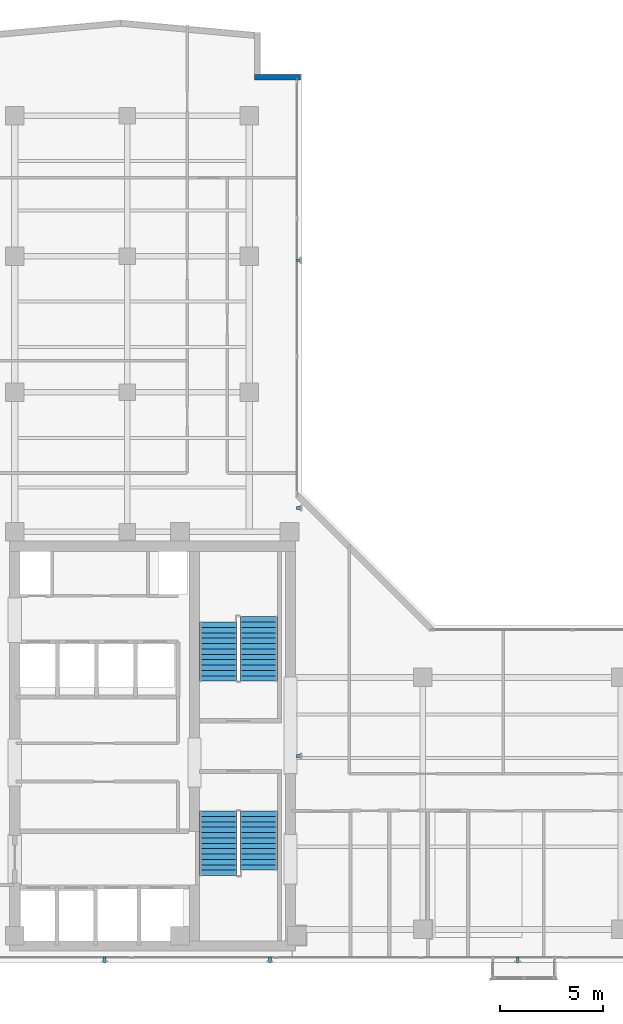
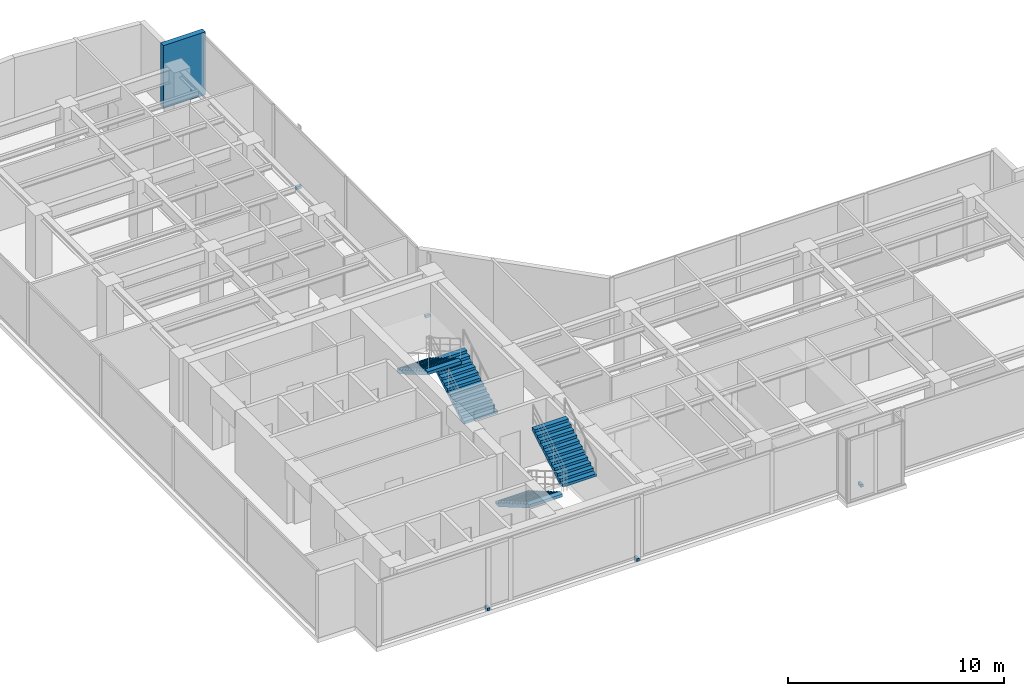
# One storey, part 19 of 22: 6 discrete accessories, 4 stair flights, 1 wall, 2 elements without a shape of their own.
"""IFC4 building model written with IfcOpenShell, lengths in metres."""

import ifcopenshell
import ifcopenshell.guid

model = None  # the IFC model being written
_history = None  # IfcOwnerHistory: only IFC2X3 demands one
_inside = {}  # id of a spatial element -> (the spatial element, [elements in it])
_under = {}  # id of a project, library or spatial element -> (it, [spatial elements below it])
_declared = {}  # id of a project -> (the project, [libraries it declares])
_typed = {}  # id of a type object -> (the type object, [elements of that type])
_made_of = {}  # id of a material, layer set ... -> (it, [elements and type objects made of it])


def new_model(schema):
    """Start an empty IFC model of exactly this schema.

    Asked for "IFC4X3", IfcOpenShell would pick the latest addendum, in which some entities
    have other attributes; the version numbers below select the first issue.
    IFC2X3 requires an IfcOwnerHistory on every rooted entity: one is made here for all.
    """
    global model, _history
    if schema == "IFC4X3":
        model = ifcopenshell.file(schema_version=(4, 3, 0, 0))
    else:
        model = ifcopenshell.file(schema=schema)
    _inside.clear()
    _under.clear()
    _declared.clear()
    _typed.clear()
    _made_of.clear()
    _history = None
    if model.schema == "IFC2X3":
        org = make("IfcOrganization", Name="unknown")
        user = make(
            "IfcPersonAndOrganization",
            ThePerson=make("IfcPerson", FamilyName="unknown"),
            TheOrganization=org,
        )
        app = make(
            "IfcApplication",
            ApplicationDeveloper=org,
            Version="unknown",
            ApplicationFullName="unknown",
            ApplicationIdentifier="unknown",
        )
        _history = make(
            "IfcOwnerHistory",
            OwningUser=user,
            OwningApplication=app,
            ChangeAction="ADDED",
            CreationDate=0,
        )
    return model


def make(cls, **values):
    """One entity of the class cls with the attributes given. An attribute that is None is left unset."""
    return model.create_entity(
        cls, **{name: value for name, value in values.items() if value is not None}
    )


def rooted(cls, **values):
    """An entity with a GlobalId (a new one), such as an element, a storey or a relation."""
    return make(cls, GlobalId=ifcopenshell.guid.new(), OwnerHistory=_history, **values)


def si_unit(unit_type, name, prefix=None):
    """IfcSIUnit, for example si_unit("LENGTHUNIT", "METRE", prefix="MILLI")."""
    return make("IfcSIUnit", UnitType=unit_type, Prefix=prefix, Name=name)


def assignment(units):
    """IfcUnitAssignment: the units of a project."""
    return None if units is None else make("IfcUnitAssignment", Units=units)


def point(xyz):
    """IfcCartesianPoint."""
    return None if xyz is None else make("IfcCartesianPoint", Coordinates=xyz)


def direction(xyz):
    """IfcDirection."""
    return None if xyz is None else make("IfcDirection", DirectionRatios=xyz)


def frame(location, z_axis=None, x_axis=None):
    """IfcAxis2Placement3D, a coordinate frame: its origin and axes. An axis left out is left unset."""
    return make(
        "IfcAxis2Placement3D",
        Location=point(location),
        Axis=direction(z_axis),
        RefDirection=direction(x_axis),
    )


def frame_2d(location, x_axis=None):
    """IfcAxis2Placement2D, a coordinate frame in the plane: its origin and x axis."""
    return make(
        "IfcAxis2Placement2D", Location=point(location), RefDirection=direction(x_axis)
    )


def origin():
    """The frame at (0, 0, 0) with its axes left unset."""
    return frame((0.0, 0.0, 0.0))


def origin_with_axes():
    """The frame at (0, 0, 0) with the z axis (0, 0, 1) and the x axis (1, 0, 0) written out."""
    return frame((0.0, 0.0, 0.0), z_axis=(0.0, 0.0, 1.0), x_axis=(1.0, 0.0, 0.0))


def origin_2d():
    """The frame at (0, 0) in the plane with its x axis left unset."""
    return frame_2d((0.0, 0.0))


def place(relative_to, where):
    """IfcLocalPlacement: puts the frame where relative to a parent placement (None: the world)."""
    return make(
        "IfcLocalPlacement", PlacementRelTo=relative_to, RelativePlacement=where
    )


def context(
    kind, dimensions, precision=None, world=None, true_north=None, identifier=None
):
    """IfcGeometricRepresentationContext, for example the 3D "Model" context."""
    return make(
        "IfcGeometricRepresentationContext",
        ContextIdentifier=identifier,
        ContextType=kind,
        CoordinateSpaceDimension=dimensions,
        Precision=precision,
        WorldCoordinateSystem=world,
        TrueNorth=true_north,
    )


def subcontext(parent, identifier, kind, view, scale=None):
    """IfcGeometricRepresentationSubContext, for example "Body" below "Model"."""
    return make(
        "IfcGeometricRepresentationSubContext",
        ContextIdentifier=identifier,
        ContextType=kind,
        ParentContext=parent,
        TargetScale=scale,
        TargetView=view,
    )


def project(units=None, contexts=None):
    """IfcProject with its units and contexts."""
    return rooted(
        "IfcProject",
        Name="project",
        RepresentationContexts=contexts,
        UnitsInContext=assignment(units),
    )


def spatial(cls, under=None, at=None, **own):
    """A site, building, storey or space (cls), placed at a placement, below another one or the project."""
    s = rooted(cls, ObjectPlacement=at, **own)
    if under is not None:
        _under.setdefault(under.id(), (under, []))[1].append(s)
    return s


def polyline(points):
    """IfcPolyline through the points."""
    return make("IfcPolyline", Points=[point(p) for p in points])


def profile(cls, at=None, kind="AREA", **sizes):
    """A parametric profile (cls). Its sizes go by their IFC names, for example OverallWidth=200.0."""
    return make(cls, ProfileType=kind, Position=at, **sizes)


def rectangle(**sizes):
    """IfcRectangleProfileDef."""
    return profile("IfcRectangleProfileDef", **sizes)


def outline(outer, holes=None, kind="AREA"):
    """IfcArbitraryClosedProfileDef: a profile drawn as a closed curve; with holes, ...WithVoids."""
    if holes is None:
        return make("IfcArbitraryClosedProfileDef", ProfileType=kind, OuterCurve=outer)
    return make(
        "IfcArbitraryProfileDefWithVoids",
        ProfileType=kind,
        OuterCurve=outer,
        InnerCurves=holes,
    )


def extrude(swept, where, along, depth):
    """IfcExtrudedAreaSolid: the profile swept, set in the frame where, extruded along a direction by depth."""
    return make(
        "IfcExtrudedAreaSolid",
        SweptArea=swept,
        Position=where,
        ExtrudedDirection=direction(along),
        Depth=depth,
    )


def shape(context_of_items, identifier, shape_type, items):
    """IfcShapeRepresentation: the items that make up one representation, for example the "Body"."""
    return make(
        "IfcShapeRepresentation",
        ContextOfItems=context_of_items,
        RepresentationIdentifier=identifier,
        RepresentationType=shape_type,
        Items=items,
    )


def source(mapping_origin, context_of_items, identifier, shape_type, items):
    """IfcRepresentationMap: a shape defined once, which mapped items show again and again."""
    return make(
        "IfcRepresentationMap",
        MappingOrigin=mapping_origin,
        MappedRepresentation=shape(context_of_items, identifier, shape_type, items),
    )


def transform(
    local_origin,
    x_axis=None,
    y_axis=None,
    z_axis=None,
    scale=None,
    scale2=None,
    scale3=None,
    uniform=True,
):
    """IfcCartesianTransformationOperator3D, or its non-uniform kind. x_axis, y_axis, z_axis: its Axis1, 2, 3."""
    if uniform:
        return make(
            "IfcCartesianTransformationOperator3D",
            Axis1=direction(x_axis),
            Axis2=direction(y_axis),
            LocalOrigin=point(local_origin),
            Scale=scale,
            Axis3=direction(z_axis),
        )
    return make(
        "IfcCartesianTransformationOperator3DnonUniform",
        Axis1=direction(x_axis),
        Axis2=direction(y_axis),
        LocalOrigin=point(local_origin),
        Scale=scale,
        Axis3=direction(z_axis),
        Scale2=scale2,
        Scale3=scale3,
    )


def mapped(mapping_source, mapping_target):
    """IfcMappedItem: shows the shape of a source again, moved by a transform."""
    return make(
        "IfcMappedItem", MappingSource=mapping_source, MappingTarget=mapping_target
    )


def material(Name=None, Category=None):
    """IfcMaterial."""
    return make("IfcMaterial", Name=Name, Category=Category)


def layer(
    of_material, thickness, ventilated=None, Name=None, Category=None, Priority=None
):
    """IfcMaterialLayer: one layer of a wall or slab, of a material (None: an air gap)."""
    return make(
        "IfcMaterialLayer",
        Material=of_material,
        LayerThickness=thickness,
        IsVentilated=ventilated,
        Name=Name,
        Category=Category,
        Priority=Priority,
    )


def layer_set(layers, Name=None):
    """IfcMaterialLayerSet."""
    return make("IfcMaterialLayerSet", MaterialLayers=layers, LayerSetName=Name)


def made_of(thing, what):
    """Note that an element or type object is made of a material, layer set ...; save() writes the relation."""
    if what is not None:
        _made_of.setdefault(what.id(), (what, []))[1].append(thing)
    return thing


def type_object(cls, material=None, **own):
    """A type object (cls), such as IfcWallType, which elements share."""
    return made_of(rooted(cls, **own), material)


def element(
    cls,
    number,
    at=None,
    inside=None,
    cuts=None,
    type_object=None,
    material=None,
    context=None,
    identifier="Body",
    shape_type=None,
    held_by="IfcProductDefinitionShape",
    body=None,
    shapes=None,
    **own,
):
    """One element of the class cls, such as IfcWall. Its Tag is "e" and its number.

    at: its placement. inside: the storey or other place that contains it. cuts: it is an
    opening in that element (IfcRelVoidsElement). A single representation is given by context,
    identifier, shape_type and body (its items); several are given by shapes. held_by: the class
    of the entity that holds the representations. save() writes the other relations.
    """
    e = rooted(cls, Tag="e%d" % number, ObjectPlacement=at, **own)
    if body is not None:
        shapes = [shape(context, identifier, shape_type, body)]
    if shapes is not None:
        e.Representation = make(held_by, Representations=shapes)
    if inside is not None:
        _inside.setdefault(inside.id(), (inside, []))[1].append(e)
    if cuts is not None:
        rooted(
            "IfcRelVoidsElement", RelatingBuildingElement=cuts, RelatedOpeningElement=e
        )
    if type_object is not None:
        _typed.setdefault(type_object.id(), (type_object, []))[1].append(e)
    return made_of(e, material)


def aggregate(whole, parts):
    """IfcRelAggregates: a whole, such as a stair, and the parts it consists of."""
    return rooted("IfcRelAggregates", RelatingObject=whole, RelatedObjects=parts)


def save(model, path):
    """Write the relations noted so far, then the file.

    IfcRelAggregates (storeys below a building ...), IfcRelContainedInSpatialStructure (elements
    in a storey), IfcRelDefinesByType, IfcRelAssociatesMaterial and IfcRelDeclares: one each for
    every whole, place, type object, material and project.
    """
    for whole, parts in _under.values():
        aggregate(whole, parts)
    for where, things in _inside.values():
        rooted(
            "IfcRelContainedInSpatialStructure",
            RelatedElements=things,
            RelatingStructure=where,
        )
    for kind, things in _typed.values():
        rooted("IfcRelDefinesByType", RelatedObjects=things, RelatingType=kind)
    for what, things in _made_of.values():
        rooted("IfcRelAssociatesMaterial", RelatedObjects=things, RelatingMaterial=what)
    for by, libraries in _declared.values():
        rooted("IfcRelDeclares", RelatingContext=by, RelatedDefinitions=libraries)
    model.write(path)


model = new_model("IFC4")

# Units and contexts
model_context = context("Model", 3, precision=1e-05, world=origin(), true_north=direction((0.0, 1.0)))
body_context = subcontext(model_context, "Body", "Model", "MODEL_VIEW")
ifc_project = project(units=[si_unit("LENGTHUNIT", "METRE"), si_unit("AREAUNIT", "SQUARE_METRE"), si_unit("VOLUMEUNIT", "CUBIC_METRE"), si_unit("PLANEANGLEUNIT", "RADIAN"), si_unit("MASSUNIT", "GRAM", prefix="KILO")], contexts=[model_context])

# Site, building, storey
site_placement = place(None, origin())
site = spatial("IfcSite", under=ifc_project, at=site_placement, CompositionType="ELEMENT")
building_placement = place(site_placement, origin())
building = spatial("IfcBuilding", under=site, at=building_placement, Name="Kolvaren Waterfront Exchange", CompositionType="ELEMENT")
storey_placement = place(building_placement, frame((0.0, 0.0, 281.800048828125)))
storey = spatial("IfcBuildingStorey", under=building, at=storey_placement, Name="L72", CompositionType="ELEMENT", Elevation=281.800048828125)

# Wall
ifc_material_1 = material(Name="Precast concrete C40/50", Category="concrete")
ifc_layer = layer(ifc_material_1, 0.280029296875, Name="Precast concrete C40/50")
ifc_layer_set = layer_set([ifc_layer], Name="Precast concrete C40/50")
wall_type = type_object("IfcWallType", Name="ARC-EXT-TERR-280", PredefinedType="SOLIDWALL", material=ifc_layer_set)
wall_placement = place(storey_placement, frame((19.04736328125, 46.455810546875, 0.0), z_axis=(0.0, 0.0, 1.0), x_axis=(1.0, 0.0, 0.0)))
element("IfcWall", 1, at=wall_placement, inside=storey, type_object=wall_type, Name="L72 notched corner spandrel pier NNE-A", PredefinedType="SOLIDWALL", context=body_context, shape_type="SweptSolid", body=[
    extrude(rectangle(XDim=2.239990234375, YDim=0.280029296875, at=frame_2d((1.1201171875, 0.0))), origin(), (0.0, 0.0, 1.0), 3.56005859375),
])

# Stair, stair flights
ifc_material_2 = material(Name="Concrete C40/50", Category="concrete")
stair_type = type_object("IfcStairType", Name="ARC-STAIR-3800", PredefinedType="HALF_TURN_STAIR", material=ifc_material_2)
stair_1_placement = place(storey_placement, origin())
stair_1 = element("IfcStair", 2, at=stair_1_placement, inside=storey, type_object=stair_type, Name="L72 Smoke-proof exit stair ST1", PredefinedType="HALF_TURN_STAIR")
stair_flight_type = type_object("IfcStairFlightType", Name="ARC-FLIGHT-3800", PredefinedType="STRAIGHT", material=ifc_material_2)
stair_flight_1_placement = place(storey_placement, frame((17.300048828125, 10.929931640625, 0.0), z_axis=(0.0, 0.0, 1.0), x_axis=(0.0, -1.0, 0.0)))
stair_flight_1 = element("IfcStairFlight", 3, at=stair_flight_1_placement, type_object=stair_flight_type, Name="ST1 flight 1", NumberOfRisers=13, NumberOfTreads=12, PredefinedType="STRAIGHT", RiserHeight=0.152, TreadLength=0.26, context=body_context, shape_type="SweptSolid", body=[
    extrude(outline(polyline([(0.0, 0.0), (0.0, 0.152099609375), (0.260009765625, 0.152099609375), (0.260009765625, 0.303955078125), (0.52001953125, 0.303955078125), (0.52001953125, 0.4560546875), (0.780029296875, 0.4560546875), (0.780029296875, 0.60791015625), (1.0400390625, 0.60791015625), (1.0400390625, 0.760009765625), (1.300048828125, 0.760009765625), (1.300048828125, 0.912109375), (1.56005859375, 0.912109375), (1.56005859375, 1.06396484375), (1.820068359375, 1.06396484375), (1.820068359375, 1.216064453125), (2.080078125, 1.216064453125), (2.080078125, 1.367919921875), (2.340087890625, 1.367919921875), (2.340087890625, 1.52001953125), (2.60009765625, 1.52001953125), (2.60009765625, 1.672119140625), (2.860107421875, 1.672119140625), (2.860107421875, 1.823974609375), (3.1201171875, 1.823974609375), (3.1201171875, 1.97607421875), (3.1201171875, 1.650390625), (0.297119140625, 0.0), (0.0, 0.0)])), frame((0.0, 0.89990234375, 0.0), z_axis=(0.0, -1.0, 0.0), x_axis=(1.0, 0.0, 0.0)), (0.0, 0.0, 1.0), 1.800048828125),
])
stair_flight_2_placement = place(storey_placement, frame((19.260009765625, 8.070068359375, 1.975830078125), z_axis=(0.0, 0.0, 1.0), x_axis=(0.0, 1.0, 0.0)))
stair_flight_2 = element("IfcStairFlight", 4, at=stair_flight_2_placement, type_object=stair_flight_type, Name="ST1 flight 2", NumberOfRisers=12, NumberOfTreads=11, PredefinedType="STRAIGHT", RiserHeight=0.152, TreadLength=0.26, context=body_context, shape_type="SweptSolid", body=[
    extrude(outline(polyline([(0.0, 0.0), (0.0, 0.152099609375), (0.260009765625, 0.152099609375), (0.260009765625, 0.303955078125), (0.52001953125, 0.303955078125), (0.52001953125, 0.4560546875), (0.780029296875, 0.4560546875), (0.780029296875, 0.60791015625), (1.0400390625, 0.60791015625), (1.0400390625, 0.760009765625), (1.300048828125, 0.760009765625), (1.300048828125, 0.912109375), (1.56005859375, 0.912109375), (1.56005859375, 1.06396484375), (1.820068359375, 1.06396484375), (1.820068359375, 1.216064453125), (2.080078125, 1.216064453125), (2.080078125, 1.367919921875), (2.340087890625, 1.367919921875), (2.340087890625, 1.52001953125), (2.60009765625, 1.52001953125), (2.60009765625, 1.672119140625), (2.860107421875, 1.672119140625), (2.860107421875, 1.823974609375), (2.860107421875, 1.498291015625), (0.297119140625, 0.0), (0.0, 0.0)])), frame((0.0, 0.89990234375, 0.0), z_axis=(0.0, -1.0, 0.0), x_axis=(1.0, 0.0, 0.0)), (0.0, 0.0, 1.0), 1.800048828125),
])
aggregate(stair_1, [stair_flight_1, stair_flight_2])

stair_2_placement = place(storey_placement, origin())
stair_2 = element("IfcStair", 5, at=stair_2_placement, inside=storey, type_object=stair_type, Name="L72 Smoke-proof exit stair ST2", PredefinedType="HALF_TURN_STAIR")
stair_flight_3_placement = place(storey_placement, frame((19.260009765625, 17.219970703125, 0.0), z_axis=(0.0, 0.0, 1.0), x_axis=(0.0, 1.0, 0.0)))
stair_flight_3 = element("IfcStairFlight", 6, at=stair_flight_3_placement, type_object=stair_flight_type, Name="ST2 flight 1", NumberOfRisers=13, NumberOfTreads=12, PredefinedType="STRAIGHT", RiserHeight=0.152, TreadLength=0.26, context=body_context, shape_type="SweptSolid", body=[
    extrude(outline(polyline([(0.0, 0.0), (0.0, 0.152099609375), (0.260009765625, 0.152099609375), (0.260009765625, 0.303955078125), (0.52001953125, 0.303955078125), (0.52001953125, 0.4560546875), (0.780029296875, 0.4560546875), (0.780029296875, 0.60791015625), (1.0400390625, 0.60791015625), (1.0400390625, 0.760009765625), (1.300048828125, 0.760009765625), (1.300048828125, 0.912109375), (1.56005859375, 0.912109375), (1.56005859375, 1.06396484375), (1.820068359375, 1.06396484375), (1.820068359375, 1.216064453125), (2.080078125, 1.216064453125), (2.080078125, 1.367919921875), (2.340087890625, 1.367919921875), (2.340087890625, 1.52001953125), (2.60009765625, 1.52001953125), (2.60009765625, 1.672119140625), (2.860107421875, 1.672119140625), (2.860107421875, 1.823974609375), (3.1201171875, 1.823974609375), (3.1201171875, 1.97607421875), (3.1201171875, 1.650390625), (0.297119140625, 0.0), (0.0, 0.0)])), frame((0.0, 0.89990234375, 0.0), z_axis=(0.0, -1.0, 0.0), x_axis=(1.0, 0.0, 0.0)), (0.0, 0.0, 1.0), 1.800048828125),
])
stair_flight_4_placement = place(storey_placement, frame((17.300048828125, 20.080078125, 1.975830078125), z_axis=(0.0, 0.0, 1.0), x_axis=(0.0, -1.0, 0.0)))
stair_flight_4 = element("IfcStairFlight", 7, at=stair_flight_4_placement, type_object=stair_flight_type, Name="ST2 flight 2", NumberOfRisers=12, NumberOfTreads=11, PredefinedType="STRAIGHT", RiserHeight=0.152, TreadLength=0.26, context=body_context, shape_type="SweptSolid", body=[
    extrude(outline(polyline([(0.0, 0.0), (0.0, 0.152099609375), (0.260009765625, 0.152099609375), (0.260009765625, 0.303955078125), (0.52001953125, 0.303955078125), (0.52001953125, 0.4560546875), (0.780029296875, 0.4560546875), (0.780029296875, 0.60791015625), (1.0400390625, 0.60791015625), (1.0400390625, 0.760009765625), (1.300048828125, 0.760009765625), (1.300048828125, 0.912109375), (1.56005859375, 0.912109375), (1.56005859375, 1.06396484375), (1.820068359375, 1.06396484375), (1.820068359375, 1.216064453125), (2.080078125, 1.216064453125), (2.080078125, 1.367919921875), (2.340087890625, 1.367919921875), (2.340087890625, 1.52001953125), (2.60009765625, 1.52001953125), (2.60009765625, 1.672119140625), (2.860107421875, 1.672119140625), (2.860107421875, 1.823974609375), (2.860107421875, 1.498291015625), (0.297119140625, 0.0), (0.0, 0.0)])), frame((0.0, 0.89990234375, 0.0), z_axis=(0.0, -1.0, 0.0), x_axis=(1.0, 0.0, 0.0)), (0.0, 0.0, 1.0), 1.800048828125),
])
aggregate(stair_2, [stair_flight_3, stair_flight_4])

# Discrete accessories
ifc_material_3 = material(Name="Stainless steel 316", Category="steel")
discrete_accessory_type = type_object("IfcDiscreteAccessoryType", Name="ARC-BRK-FIN", PredefinedType="BRACKET", material=ifc_material_3)
shared_shape = source(origin_with_axes(), body_context, "Body", "SweptSolid", [
    extrude(rectangle(XDim=0.280029296875, YDim=0.139892578125, at=origin_2d()), origin(), (0.0, 0.0, 1.0), 0.159912109375),
])
for number, where, z_axis, x_axis, name in (
    (8, (11.800048828125, 3.719970703125, 0.0), (0.0, 0.0, 1.0), (0.0, -1.0, 0.0), "L72 bronze fin anchor bracket FIN-L72-S1"),
    (9, (19.800048828125, 3.719970703125, 0.0), (0.0, 0.0, 1.0), (0.0, -1.0, 0.0), "L72 bronze fin anchor bracket FIN-L72-S2"),
    (10, (31.800048828125, 3.719970703125, 0.0), (0.0, 0.0, 1.0), (0.0, -1.0, 0.0), "L72 bronze fin anchor bracket FIN-L72-S3"),
    (11, (21.227294921875, 13.60009765625, 0.0), (0.0, 0.0, 1.0), (1.0, 0.0, 0.0), "L72 bronze fin anchor bracket FIN-L72-E1"),
    (12, (21.227294921875, 25.60009765625, 0.0), (0.0, 0.0, 1.0), (1.0, 0.0, 0.0), "L72 bronze fin anchor bracket FIN-L72-E2"),
    (13, (21.227294921875, 37.60009765625, 0.0), (0.0, 0.0, 1.0), (1.0, 0.0, 0.0), "L72 bronze fin anchor bracket FIN-L72-E3"),
):
    element("IfcDiscreteAccessory", number, at=place(storey_placement, frame(where, z_axis=z_axis, x_axis=x_axis)), inside=storey, type_object=discrete_accessory_type, Name=name, PredefinedType="BRACKET", context=body_context, shape_type="MappedRepresentation", body=[
        mapped(shared_shape, transform((0.0, 0.0, 0.0), x_axis=(1.0, 0.0, 0.0), y_axis=(0.0, 1.0, 0.0), z_axis=(0.0, 0.0, 1.0), scale=1.0)),
    ])

save(model, "model.ifc")
